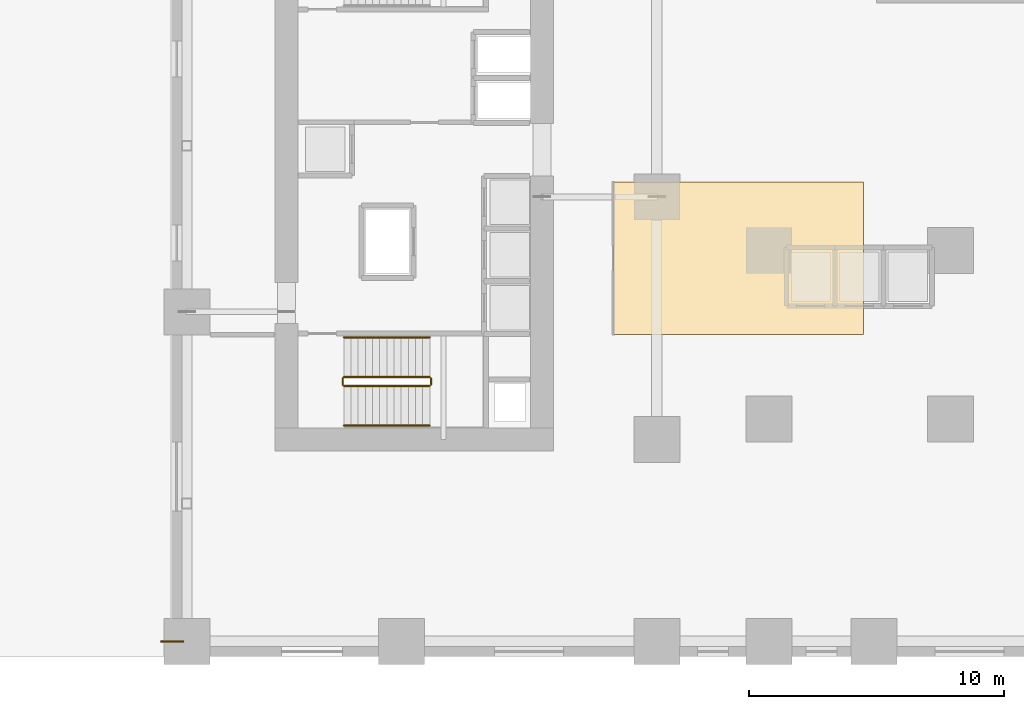
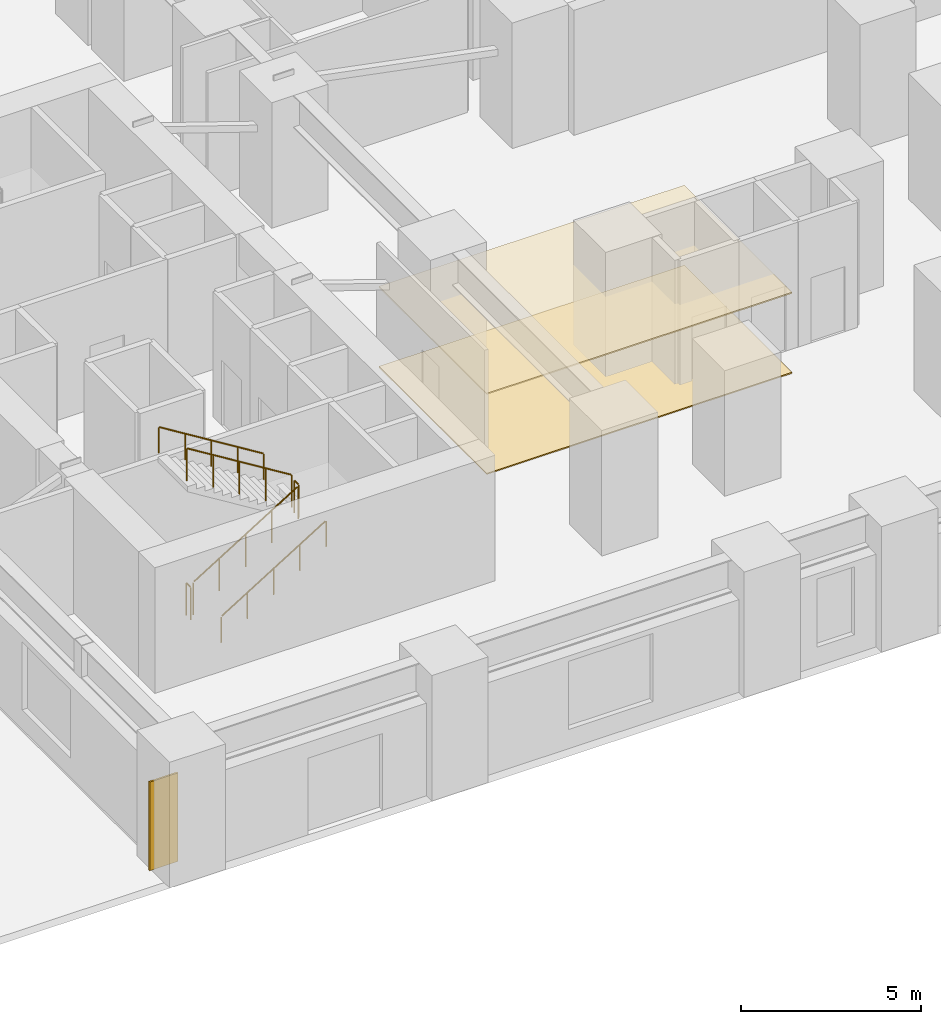
# One storey, part 18 of 23: 6 railings, 3 coverings.
"""IFC4 building model written with IfcOpenShell, lengths in metres."""

from ifc_helpers import new_model, si_unit, direction, frame, origin, origin_2d, place, context, subcontext, project, spatial, polyline, rectangle, circle, outline, extrude, source, transform, mapped, material, layer, layer_set, type_object, element, save


model = new_model("IFC4")

# Units and contexts
model_context = context("Model", 3, precision=1e-05, world=origin(), true_north=direction((0.0, 1.0)))
body_context = subcontext(model_context, "Body", "Model", "MODEL_VIEW")
ifc_project = project(units=[si_unit("LENGTHUNIT", "METRE"), si_unit("AREAUNIT", "SQUARE_METRE"), si_unit("VOLUMEUNIT", "CUBIC_METRE"), si_unit("PLANEANGLEUNIT", "RADIAN"), si_unit("MASSUNIT", "GRAM", prefix="KILO")], contexts=[model_context])

# Site, building, storey
site_placement = place(None, origin())
site = spatial("IfcSite", under=ifc_project, at=site_placement, CompositionType="ELEMENT")
building_placement = place(site_placement, origin())
building = spatial("IfcBuilding", under=site, at=building_placement, Name="Kharzan Plaza Tower", CompositionType="ELEMENT")
storey_placement = place(building_placement, origin())
storey = spatial("IfcBuildingStorey", under=building, at=storey_placement, Name="L00", CompositionType="ELEMENT", Elevation=0.0)

# Coverings
ifc_material_1 = material(Name="Perforated Acoustic Mineral-Fibre Tile", Category="gypsum")
ifc_layer_1 = layer(ifc_material_1, 0.044921875)
ifc_layer_set_1 = layer_set([ifc_layer_1], Name="Perforated Acoustic Mineral-Fibre Tile")
covering_type_1 = type_object("IfcCoveringType", Name="COV-CEIL-ACT", PredefinedType="CEILING", material=ifc_layer_set_1)
covering_1_placement = place(storey_placement, frame((0.0, 0.0, 2.705078125)))
element("IfcCovering", 1, at=covering_1_placement, inside=storey, type_object=covering_type_1, Name="L00 Suspended Acoustic Ceiling LOB1", PredefinedType="CEILING", context=body_context, shape_type="SweptSolid", body=[
    extrude(outline(polyline([(17.31005859375, 12.610107421875), (27.090087890625, 12.610107421875), (27.090087890625, 18.590087890625), (17.31005859375, 18.590087890625), (17.31005859375, 12.610107421875)])), origin(), (0.0, 0.0, 1.0), 0.044921875),
])
ifc_material_2 = material(Name="Honed Najran Granite Terrazzo", Category="masonry")
ifc_layer_2 = layer(ifc_material_2, 0.0400390625)
ifc_layer_set_2 = layer_set([ifc_layer_2], Name="Honed Najran Granite Terrazzo")
covering_type_2 = type_object("IfcCoveringType", Name="COV-FLOOR-STN", PredefinedType="FLOORING", material=ifc_layer_set_2)
covering_2_placement = place(storey_placement, origin())
element("IfcCovering", 2, at=covering_2_placement, inside=storey, type_object=covering_type_2, Name="L00 Honed Granite Terrazzo Flooring LOB1", PredefinedType="FLOORING", context=body_context, shape_type="SweptSolid", body=[
    extrude(outline(polyline([(17.31005859375, 12.610107421875), (27.090087890625, 12.610107421875), (27.090087890625, 18.590087890625), (17.31005859375, 18.590087890625), (17.31005859375, 12.610107421875)])), origin(), (0.0, 0.0, 1.0), 0.0400390625),
])

# Railings
ifc_material_3 = material(Name="Painted Galvanized Architectural Steel", Category="steel")
ifc_layer_3 = layer(ifc_material_3, 0.074951171875)
ifc_layer_set_3 = layer_set([ifc_layer_3], Name="Painted Galvanized Architectural Steel")
railing_type_1 = type_object("IfcRailingType", Name="RL-GUARD-1120", PredefinedType="BALUSTRADE", material=ifc_layer_set_3)
shared_shape_1 = source(origin(), body_context, "Body", "SweptSolid", [
    extrude(circle(Radius=0.02392578125, at=origin_2d()), frame((0.0224609375, 0.0, 1.10986328125), z_axis=(0.850623216509, 0.0, 0.525775754039), x_axis=(0.0, 1.0, 0.0)), (0.0, 0.0, 1.0), 3.897216796875),
    extrude(circle(Radius=0.02099609375, at=origin_2d()), origin(), (0.0, 0.0, 1.0), 1.072021484375),
    extrude(circle(Radius=0.02099609375, at=origin_2d()), frame((0.840087890625, 0.0, 0.519287109375)), (0.0, 0.0, 1.0), 1.072021484375),
    extrude(circle(Radius=0.02099609375, at=origin_2d()), frame((1.68017578125, 0.0, 1.03857421875)), (0.0, 0.0, 1.0), 1.072021484375),
    extrude(circle(Radius=0.02099609375, at=origin_2d()), frame((2.52001953125, 0.0, 1.5576171875)), (0.0, 0.0, 1.0), 1.072021484375),
    extrude(circle(Radius=0.02099609375, at=origin_2d()), frame((3.360107421875, 0.0, 2.076904296875)), (0.0, 0.0, 1.0), 1.072021484375),
])
railing_1_placement = place(storey_placement, frame((6.75, 10.60009765625, 0.173095703125)))
element("IfcRailing", 3, at=railing_1_placement, inside=storey, type_object=railing_type_1, Name="L00 ST-1 stair guard 1", PredefinedType="BALUSTRADE", context=body_context, shape_type="MappedRepresentation", body=[
    mapped(shared_shape_1, transform((0.0, 0.0, 0.0), x_axis=(1.0, 0.0, 0.0), y_axis=(0.0, 1.0, 0.0), z_axis=(0.0, 0.0, 1.0))),
])
shared_shape_2 = source(origin(), body_context, "Body", "SweptSolid", [
    extrude(circle(Radius=0.02392578125, at=origin_2d()), frame((0.0, 0.0263671875, 1.09619140625), z_axis=(0.0, 1.0, 0.0), x_axis=(-1.0, 0.0, 0.0)), (0.0, 0.0, 1.0), 0.197021484375),
    extrude(circle(Radius=0.02099609375, at=origin_2d()), origin(), (0.0, 0.0, 1.0), 1.072021484375),
    extrude(circle(Radius=0.02099609375, at=origin_2d()), frame((0.0, 0.25, 0.0)), (0.0, 0.0, 1.0), 1.072021484375),
])
for number, where, name in (
    (4, (10.159912109375, 10.64990234375, 2.25), "L00 ST-1 stair guard 2"),
    (5, (6.699951171875, 10.64990234375, 0.0), "L00 ST-1 stair guard 4"),
):
    element("IfcRailing", number, at=place(storey_placement, frame(where)), inside=storey, type_object=railing_type_1, Name=name, PredefinedType="BALUSTRADE", context=body_context, shape_type="MappedRepresentation", body=[
        mapped(shared_shape_2, transform((0.0, 0.0, 0.0), x_axis=(1.0, 0.0, 0.0), y_axis=(0.0, 1.0, 0.0), z_axis=(0.0, 0.0, 1.0))),
    ])
shared_shape_3 = source(origin(), body_context, "Body", "SweptSolid", [
    extrude(circle(Radius=0.02392578125, at=origin_2d()), frame((-0.0224609375, 0.0, 1.10986328125), z_axis=(-0.850623216509, 0.0, 0.525775754039), x_axis=(0.0, -1.0, 0.0)), (0.0, 0.0, 1.0), 3.897216796875),
    extrude(circle(Radius=0.02099609375, at=origin_2d()), origin(), (0.0, 0.0, 1.0), 1.072021484375),
    extrude(circle(Radius=0.02099609375, at=origin_2d()), frame((-0.840087890625, 0.0, 0.519287109375)), (0.0, 0.0, 1.0), 1.072021484375),
    extrude(circle(Radius=0.02099609375, at=origin_2d()), frame((-1.68017578125, 0.0, 1.03857421875)), (0.0, 0.0, 1.0), 1.072021484375),
    extrude(circle(Radius=0.02099609375, at=origin_2d()), frame((-2.52001953125, 0.0, 1.5576171875)), (0.0, 0.0, 1.0), 1.072021484375),
    extrude(circle(Radius=0.02099609375, at=origin_2d()), frame((-3.360107421875, 0.0, 2.076904296875)), (0.0, 0.0, 1.0), 1.072021484375),
])
railing_2_placement = place(storey_placement, frame((10.110107421875, 10.949951171875, 2.423095703125)))
element("IfcRailing", 6, at=railing_2_placement, inside=storey, type_object=railing_type_1, Name="L00 ST-1 stair guard 3", PredefinedType="BALUSTRADE", context=body_context, shape_type="MappedRepresentation", body=[
    mapped(shared_shape_3, transform((0.0, 0.0, 0.0), x_axis=(1.0, 0.0, 0.0), y_axis=(0.0, 1.0, 0.0), z_axis=(0.0, 0.0, 1.0))),
])
ifc_material_4 = material(Name="Brushed Stainless Steel", Category="steel")
ifc_layer_4 = layer(ifc_material_4, 0.050048828125)
ifc_layer_set_4 = layer_set([ifc_layer_4], Name="Brushed Stainless Steel")
railing_type_2 = type_object("IfcRailingType", Name="RL-STAIR-HR920", PredefinedType="HANDRAIL", material=ifc_layer_set_4)
shared_shape_4 = source(origin(), body_context, "Body", "SweptSolid", [
    extrude(circle(Radius=0.02392578125, at=origin_2d()), frame((0.0224609375, 0.0, 0.8896484375), z_axis=(0.850623216509, 0.0, 0.525775754039), x_axis=(0.0, 1.0, 0.0)), (0.0, 0.0, 1.0), 3.897216796875),
    extrude(circle(Radius=0.02099609375, at=origin_2d()), origin(), (0.0, 0.0, 1.0), 0.851806640625),
    extrude(circle(Radius=0.02099609375, at=origin_2d()), frame((0.840087890625, 0.0, 0.519287109375)), (0.0, 0.0, 1.0), 0.851806640625),
    extrude(circle(Radius=0.02099609375, at=origin_2d()), frame((1.68017578125, 0.0, 1.03857421875)), (0.0, 0.0, 1.0), 0.851806640625),
    extrude(circle(Radius=0.02099609375, at=origin_2d()), frame((2.52001953125, 0.0, 1.5576171875)), (0.0, 0.0, 1.0), 0.851806640625),
    extrude(circle(Radius=0.02099609375, at=origin_2d()), frame((3.360107421875, 0.0, 2.076904296875)), (0.0, 0.0, 1.0), 0.851806640625),
])
railing_3_placement = place(storey_placement, frame((6.75, 9.050048828125, 0.173095703125)))
element("IfcRailing", 7, at=railing_3_placement, inside=storey, type_object=railing_type_2, Name="L00 ST-1 stair handrail 1", PredefinedType="HANDRAIL", context=body_context, shape_type="MappedRepresentation", body=[
    mapped(shared_shape_4, transform((0.0, 0.0, 0.0), x_axis=(1.0, 0.0, 0.0), y_axis=(0.0, 1.0, 0.0), z_axis=(0.0, 0.0, 1.0))),
])
shared_shape_5 = source(origin(), body_context, "Body", "SweptSolid", [
    extrude(circle(Radius=0.02392578125, at=origin_2d()), frame((-0.0224609375, 0.0, 0.8896484375), z_axis=(-0.850623216509, 0.0, 0.525775754039), x_axis=(0.0, -1.0, 0.0)), (0.0, 0.0, 1.0), 3.897216796875),
    extrude(circle(Radius=0.02099609375, at=origin_2d()), origin(), (0.0, 0.0, 1.0), 0.851806640625),
    extrude(circle(Radius=0.02099609375, at=origin_2d()), frame((-0.840087890625, 0.0, 0.519287109375)), (0.0, 0.0, 1.0), 0.851806640625),
    extrude(circle(Radius=0.02099609375, at=origin_2d()), frame((-1.68017578125, 0.0, 1.03857421875)), (0.0, 0.0, 1.0), 0.851806640625),
    extrude(circle(Radius=0.02099609375, at=origin_2d()), frame((-2.52001953125, 0.0, 1.5576171875)), (0.0, 0.0, 1.0), 0.851806640625),
    extrude(circle(Radius=0.02099609375, at=origin_2d()), frame((-3.360107421875, 0.0, 2.076904296875)), (0.0, 0.0, 1.0), 0.851806640625),
])
railing_4_placement = place(storey_placement, frame((10.110107421875, 12.5, 2.423095703125)))
element("IfcRailing", 8, at=railing_4_placement, inside=storey, type_object=railing_type_2, Name="L00 ST-1 stair handrail 2", PredefinedType="HANDRAIL", context=body_context, shape_type="MappedRepresentation", body=[
    mapped(shared_shape_5, transform((0.0, 0.0, 0.0), x_axis=(1.0, 0.0, 0.0), y_axis=(0.0, 1.0, 0.0), z_axis=(0.0, 0.0, 1.0))),
])

# Covering
ifc_material_5 = material(Name="Honed Riyadh Limestone", Category="masonry")
ifc_layer_5 = layer(ifc_material_5, 0.06005859375)
ifc_layer_set_5 = layer_set([ifc_layer_5], Name="Honed Riyadh Limestone")
covering_type_3 = type_object("IfcCoveringType", Name="COV-CLAD-STONE", PredefinedType="CLADDING", material=ifc_layer_set_5)
shared_shape_6 = source(origin(), body_context, "Body", "SweptSolid", [
    extrude(rectangle(XDim=0.06005859375, YDim=0.89990234375, at=origin_2d()), origin(), (0.0, 0.0, 1.0), 3.0),
])
covering_3_placement = place(storey_placement, frame((0.02001953125, 0.60009765625, 0.10009765625), z_axis=(0.0, 0.0, 1.0), x_axis=(0.0, 1.0, 0.0)))
element("IfcCovering", 9, at=covering_3_placement, inside=storey, type_object=covering_type_3, Name="L00 Limestone Pier Rainscreen Cladding MC04", PredefinedType="CLADDING", context=body_context, shape_type="MappedRepresentation", body=[
    mapped(shared_shape_6, transform((0.0, 0.0, 0.0), x_axis=(1.0, 0.0, 0.0), y_axis=(0.0, 1.0, 0.0), z_axis=(0.0, 0.0, 1.0))),
])

save(model, "model.ifc")
